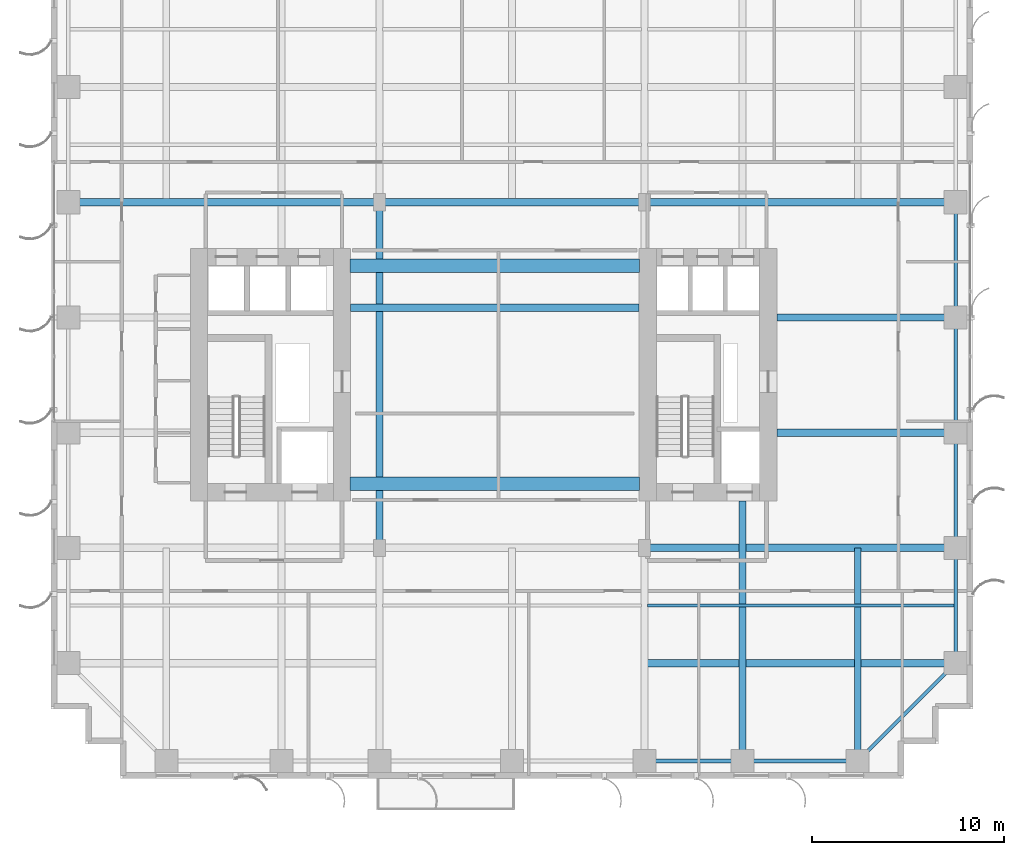
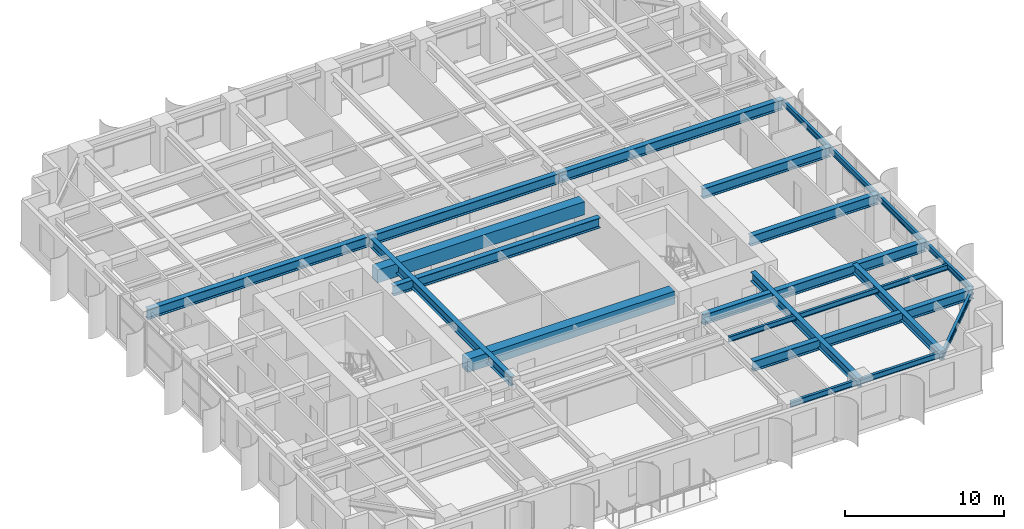
# One storey, part 3 of 16: 21 beams.
"""IFC4 building model written with IfcOpenShell, lengths in metres."""

from ifc_helpers import new_model, si_unit, direction, frame, origin, origin_2d, place, context, subcontext, project, spatial, rectangle, i_section, extrude, source, transform, mapped, material, material_profile, profile_set, type_object, element, save


model = new_model("IFC4")

# Units and contexts
model_context = context("Model", 3, precision=1e-05, world=origin(), true_north=direction((0.0, 1.0)))
body_context = subcontext(model_context, "Body", "Model", "MODEL_VIEW")
ifc_project = project(units=[si_unit("LENGTHUNIT", "METRE"), si_unit("AREAUNIT", "SQUARE_METRE"), si_unit("VOLUMEUNIT", "CUBIC_METRE"), si_unit("PLANEANGLEUNIT", "RADIAN"), si_unit("MASSUNIT", "GRAM", prefix="KILO")], contexts=[model_context])

# Site, building, storey
site_placement = place(None, origin())
site = spatial("IfcSite", under=ifc_project, at=site_placement, CompositionType="ELEMENT")
building_placement = place(site_placement, origin())
building = spatial("IfcBuilding", under=site, at=building_placement, Name="Khoralis Quay Care Tower", CompositionType="ELEMENT")
storey_placement = place(building_placement, frame((0.0, 0.0, 29.699951171875)))
storey = spatial("IfcBuildingStorey", under=building, at=storey_placement, Name="L07", CompositionType="ELEMENT", Elevation=29.699951171875)

# Beams
ifc_material_1 = material(Name="Concrete C80/95", Category="concrete")
ifc_material_profile_1 = material_profile(ifc_material_1, rectangle(XDim=0.699951171875, YDim=1.0, at=origin_2d()), Name="Concrete C80/95")
ifc_profile_set_1 = profile_set([ifc_material_profile_1], Name="Concrete C80/95")
beam_type_1 = type_object("IfcBeamType", Name="CB-RC700X1000", PredefinedType="LINTEL", material=ifc_profile_set_1)
shared_shape_1 = source(origin(), body_context, "Body", "SweptSolid", [
    extrude(rectangle(XDim=0.699951171875, YDim=1.0, at=origin_2d()), origin(), (0.0, 0.0, 1.0), 15.079833984375),
])
for number, where, z_axis, x_axis, name in (
    (1, (15.570068359375, 15.35009765625, 2.820068359375), (1.0, 0.0, 0.0), (0.0, 1.0, 0.0), "L07 South Core Coupling Lintel"),
    (2, (15.570068359375, 26.699951171875, 2.820068359375), (1.0, 0.0, 0.0), (0.0, 1.0, 0.0), "L07 North Core Coupling Lintel"),
):
    element("IfcBeam", number, at=place(storey_placement, frame(where, z_axis=z_axis, x_axis=x_axis)), inside=storey, type_object=beam_type_1, Name=name, PredefinedType="LINTEL", context=body_context, shape_type="MappedRepresentation", body=[
        mapped(shared_shape_1, transform((0.0, 0.0, 0.0), scale=1.0)),
    ])
ifc_material_2 = material(Name="Steel S355", Category="steel")
ifc_material_profile_2 = material_profile(ifc_material_2, i_section(OverallWidth=0.18994140625, OverallDepth=0.449951171875, WebThickness=0.009521484375, FlangeThickness=0.0146484375, FilletRadius=0.02099609375, at=origin_2d()), Name="Steel S355")
ifc_profile_set_2 = profile_set([ifc_material_profile_2], Name="Steel S355")
beam_type_2 = type_object("IfcBeamType", Name="BM-IPE450", PredefinedType="SPANDREL", material=ifc_profile_set_2)
shared_shape_2 = source(origin(), body_context, "Body", "SweptSolid", [
    extrude(i_section(OverallWidth=0.18994140625, OverallDepth=0.449951171875, WebThickness=0.009521484375, FlangeThickness=0.0146484375, FilletRadius=0.02099609375, at=origin_2d()), origin(), (0.0, 0.0, 1.0), 6.0),
])
for number, where, z_axis, x_axis, name in (
    (3, (36.0, 0.89990234375, 3.094970703125), (1.0, 0.0, 0.0), (0.0, 1.0, 0.0), "BM-TSP-L07-06"),
    (4, (47.10009765625, 6.0, 3.094970703125), (0.0, 1.0, 0.0), (-1.0, 0.0, 0.0), "BM-TSP-L07-19"),
    (5, (47.10009765625, 12.0, 3.094970703125), (0.0, 1.0, 0.0), (-1.0, 0.0, 0.0), "BM-TSP-L07-20"),
    (6, (47.10009765625, 18.0, 3.094970703125), (0.0, 1.0, 0.0), (-1.0, 0.0, 0.0), "BM-TSP-L07-21"),
    (7, (47.10009765625, 24.0, 3.094970703125), (0.0, 1.0, 0.0), (-1.0, 0.0, 0.0), "BM-TSP-L07-22"),
):
    element("IfcBeam", number, at=place(storey_placement, frame(where, z_axis=z_axis, x_axis=x_axis)), inside=storey, type_object=beam_type_2, Name=name, PredefinedType="SPANDREL", context=body_context, shape_type="MappedRepresentation", body=[
        mapped(shared_shape_2, transform((0.0, 0.0, 0.0), scale=1.0)),
    ])
shared_shape_3 = source(origin(), body_context, "Body", "SweptSolid", [
    extrude(i_section(OverallWidth=0.18994140625, OverallDepth=0.449951171875, WebThickness=0.009521484375, FlangeThickness=0.0146484375, FilletRadius=0.02099609375, at=origin_2d()), origin(), (0.0, 0.0, 1.0), 5.10009765625),
])
beam_1_placement = place(storey_placement, frame((30.89990234375, 0.89990234375, 3.094970703125), z_axis=(1.0, 0.0, 0.0), x_axis=(0.0, 1.0, 0.0)))
element("IfcBeam", 8, at=beam_1_placement, inside=storey, type_object=beam_type_2, Name="BM-TSP-L07-05", PredefinedType="SPANDREL", context=body_context, shape_type="MappedRepresentation", body=[
    mapped(shared_shape_3, transform((0.0, 0.0, 0.0), scale=1.0)),
])
shared_shape_4 = source(origin(), body_context, "Body", "SweptSolid", [
    extrude(i_section(OverallWidth=0.18994140625, OverallDepth=0.449951171875, WebThickness=0.009521484375, FlangeThickness=0.0146484375, FilletRadius=0.02099609375, at=origin_2d()), origin(), (0.0, 0.0, 1.0), 7.212646484375),
])
beam_2_placement = place(storey_placement, frame((42.0, 0.89990234375, 3.094970703125), z_axis=(0.707106781187, 0.707106781187, 0.0), x_axis=(-0.707106781187, 0.707106781187, 0.0)))
element("IfcBeam", 9, at=beam_2_placement, inside=storey, type_object=beam_type_2, Name="BM-TCR-L07-26", PredefinedType="SPANDREL", context=body_context, shape_type="MappedRepresentation", body=[
    mapped(shared_shape_4, transform((0.0, 0.0, 0.0), scale=1.0)),
])
ifc_material_profile_3 = material_profile(ifc_material_2, i_section(OverallWidth=0.381103515625, OverallDepth=0.77294921875, WebThickness=0.0166015625, FlangeThickness=0.027587890625, FilletRadius=0.02197265625, at=origin_2d()), Name="Steel S355")
ifc_profile_set_3 = profile_set([ifc_material_profile_3], Name="Steel S355")
beam_type_3 = type_object("IfcBeamType", Name="BM-W760X257", PredefinedType="BEAM", material=ifc_profile_set_3)
shared_shape_5 = source(origin(), body_context, "Body", "SweptSolid", [
    extrude(i_section(OverallWidth=0.381103515625, OverallDepth=0.77294921875, WebThickness=0.0166015625, FlangeThickness=0.027587890625, FilletRadius=0.02197265625, at=origin_2d()), origin(), (0.0, 0.0, 1.0), 16.03466796875),
])
beam_3_placement = place(storey_placement, frame((31.0654296875, 6.0, 2.93359375), z_axis=(1.0, 0.0, 0.0), x_axis=(0.0, 1.0, 0.0)))
element("IfcBeam", 10, at=beam_3_placement, inside=storey, type_object=beam_type_3, Name="BM-TGXE-L07-60", PredefinedType="BEAM", context=body_context, shape_type="MappedRepresentation", body=[
    mapped(shared_shape_5, transform((0.0, 0.0, 0.0), scale=1.0)),
])
shared_shape_6 = source(origin(), body_context, "Body", "SweptSolid", [
    extrude(i_section(OverallWidth=0.381103515625, OverallDepth=0.77294921875, WebThickness=0.0166015625, FlangeThickness=0.027587890625, FilletRadius=0.02197265625, at=origin_2d()), origin(), (0.0, 0.0, 1.0), 16.2001953125),
])
for number, where, z_axis, x_axis, name in (
    (11, (0.89990234375, 30.0, 2.93359375), (1.0, 0.0, 0.0), (0.0, 1.0, 0.0), "BM-TGXW-L07-300"),
    (12, (30.89990234375, 12.0, 2.93359375), (1.0, 0.0, 0.0), (0.0, 1.0, 0.0), "BM-TGXE-L07-120"),
    (13, (30.89990234375, 30.0, 2.93359375), (1.0, 0.0, 0.0), (0.0, 1.0, 0.0), "BM-TGXE-L07-300"),
):
    element("IfcBeam", number, at=place(storey_placement, frame(where, z_axis=z_axis, x_axis=x_axis)), inside=storey, type_object=beam_type_3, Name=name, PredefinedType="BEAM", context=body_context, shape_type="MappedRepresentation", body=[
        mapped(shared_shape_6, transform((0.0, 0.0, 0.0), scale=1.0)),
    ])
shared_shape_7 = source(origin(), body_context, "Body", "SweptSolid", [
    extrude(i_section(OverallWidth=0.381103515625, OverallDepth=0.77294921875, WebThickness=0.0166015625, FlangeThickness=0.027587890625, FilletRadius=0.02197265625, at=origin_2d()), origin(), (0.0, 0.0, 1.0), 9.302001953125),
])
for number, where, z_axis, x_axis, name in (
    (14, (37.798095703125, 18.0, 2.93359375), (1.0, 0.0, 0.0), (0.0, 1.0, 0.0), "BM-TGXE-L07-180"),
    (15, (37.798095703125, 24.0, 2.93359375), (1.0, 0.0, 0.0), (0.0, 1.0, 0.0), "BM-TGXE-L07-240"),
):
    element("IfcBeam", number, at=place(storey_placement, frame(where, z_axis=z_axis, x_axis=x_axis)), inside=storey, type_object=beam_type_3, Name=name, PredefinedType="BEAM", context=body_context, shape_type="MappedRepresentation", body=[
        mapped(shared_shape_7, transform((0.0, 0.0, 0.0), scale=1.0)),
    ])
shared_shape_8 = source(origin(), body_context, "Body", "SweptSolid", [
    extrude(i_section(OverallWidth=0.381103515625, OverallDepth=0.77294921875, WebThickness=0.0166015625, FlangeThickness=0.027587890625, FilletRadius=0.02197265625, at=origin_2d()), origin(), (0.0, 0.0, 1.0), 13.7998046875),
])
beam_4_placement = place(storey_placement, frame((17.10009765625, 30.0, 2.93359375), z_axis=(1.0, 0.0, 0.0), x_axis=(0.0, 1.0, 0.0)))
element("IfcBeam", 16, at=beam_4_placement, inside=storey, type_object=beam_type_3, Name="BM-TGCC-L07-300", PredefinedType="BEAM", context=body_context, shape_type="MappedRepresentation", body=[
    mapped(shared_shape_8, transform((0.0, 0.0, 0.0), scale=1.0)),
])
shared_shape_9 = source(origin(), body_context, "Body", "SweptSolid", [
    extrude(i_section(OverallWidth=0.381103515625, OverallDepth=0.77294921875, WebThickness=0.0166015625, FlangeThickness=0.027587890625, FilletRadius=0.02197265625, at=origin_2d()), origin(), (0.0, 0.0, 1.0), 15.024169921875),
])
beam_5_placement = place(storey_placement, frame((15.597900390625, 24.5, 2.93359375), z_axis=(1.0, 0.0, 0.0), x_axis=(0.0, 1.0, 0.0)))
element("IfcBeam", 17, at=beam_5_placement, inside=storey, type_object=beam_type_3, Name="BM-TGCC-L07-245", PredefinedType="BEAM", context=body_context, shape_type="MappedRepresentation", body=[
    mapped(shared_shape_9, transform((0.0, 0.0, 0.0), scale=1.0)),
])
ifc_material_profile_4 = material_profile(ifc_material_2, i_section(OverallWidth=0.35498046875, OverallDepth=0.695068359375, WebThickness=0.015380859375, FlangeThickness=0.02490234375, FilletRadius=0.02001953125, at=origin_2d()), Name="Steel S355")
ifc_profile_set_4 = profile_set([ifc_material_profile_4], Name="Steel S355")
beam_type_4 = type_object("IfcBeamType", Name="BM-W690X217", PredefinedType="BEAM", material=ifc_profile_set_4)
shared_shape_10 = source(origin(), body_context, "Body", "SweptSolid", [
    extrude(i_section(OverallWidth=0.35498046875, OverallDepth=0.695068359375, WebThickness=0.015380859375, FlangeThickness=0.02490234375, FilletRadius=0.02001953125, at=origin_2d()), origin(), (0.0, 0.0, 1.0), 11.10009765625),
])
beam_6_placement = place(storey_placement, frame((42.0, 0.89990234375, 2.97265625), z_axis=(0.0, 1.0, 0.0), x_axis=(-1.0, 0.0, 0.0)))
element("IfcBeam", 18, at=beam_6_placement, inside=storey, type_object=beam_type_4, Name="BM-TGYS-L07-420", PredefinedType="BEAM", context=body_context, shape_type="MappedRepresentation", body=[
    mapped(shared_shape_10, transform((0.0, 0.0, 0.0), scale=1.0)),
])
shared_shape_11 = source(origin(), body_context, "Body", "SweptSolid", [
    extrude(i_section(OverallWidth=0.35498046875, OverallDepth=0.695068359375, WebThickness=0.015380859375, FlangeThickness=0.02490234375, FilletRadius=0.02001953125, at=origin_2d()), origin(), (0.0, 0.0, 1.0), 13.552001953125),
])
beam_7_placement = place(storey_placement, frame((36.0, 0.89990234375, 2.97265625), z_axis=(0.0, 1.0, 0.0), x_axis=(-1.0, 0.0, 0.0)))
element("IfcBeam", 19, at=beam_7_placement, inside=storey, type_object=beam_type_4, Name="BM-TGYS-L07-360", PredefinedType="BEAM", context=body_context, shape_type="MappedRepresentation", body=[
    mapped(shared_shape_11, transform((0.0, 0.0, 0.0), scale=1.0)),
])
shared_shape_12 = source(origin(), body_context, "Body", "SweptSolid", [
    extrude(i_section(OverallWidth=0.35498046875, OverallDepth=0.695068359375, WebThickness=0.015380859375, FlangeThickness=0.02490234375, FilletRadius=0.02001953125, at=origin_2d()), origin(), (0.0, 0.0, 1.0), 18.0),
])
beam_8_placement = place(storey_placement, frame((17.10009765625, 12.0, 2.97265625), z_axis=(0.0, 1.0, 0.0), x_axis=(-1.0, 0.0, 0.0)))
element("IfcBeam", 20, at=beam_8_placement, inside=storey, type_object=beam_type_4, Name="BM-TGSW-L07", PredefinedType="BEAM", context=body_context, shape_type="MappedRepresentation", body=[
    mapped(shared_shape_12, transform((0.0, 0.0, 0.0), scale=1.0)),
])
ifc_material_profile_5 = material_profile(ifc_material_2, i_section(OverallWidth=0.177978515625, OverallDepth=0.406982421875, WebThickness=0.0078125, FlangeThickness=0.0126953125, FilletRadius=0.012939453125, at=origin_2d()), Name="Steel S355")
ifc_profile_set_5 = profile_set([ifc_material_profile_5], Name="Steel S355")
beam_type_5 = type_object("IfcBeamType", Name="BM-W410X60", PredefinedType="JOIST", material=ifc_profile_set_5)
shared_shape_13 = source(origin(), body_context, "Body", "SweptSolid", [
    extrude(i_section(OverallWidth=0.177978515625, OverallDepth=0.406982421875, WebThickness=0.0078125, FlangeThickness=0.0126953125, FilletRadius=0.012939453125, at=origin_2d()), origin(), (0.0, 0.0, 1.0), 15.95361328125),
])
beam_9_placement = place(storey_placement, frame((31.0654296875, 9.0, 3.116455078125), z_axis=(1.0, 0.0, 0.0), x_axis=(0.0, 1.0, 0.0)))
element("IfcBeam", 21, at=beam_9_placement, inside=storey, type_object=beam_type_5, Name="BM-TJS-L07-30", PredefinedType="JOIST", context=body_context, shape_type="MappedRepresentation", body=[
    mapped(shared_shape_13, transform((0.0, 0.0, 0.0), scale=1.0)),
])

save(model, "model.ifc")
